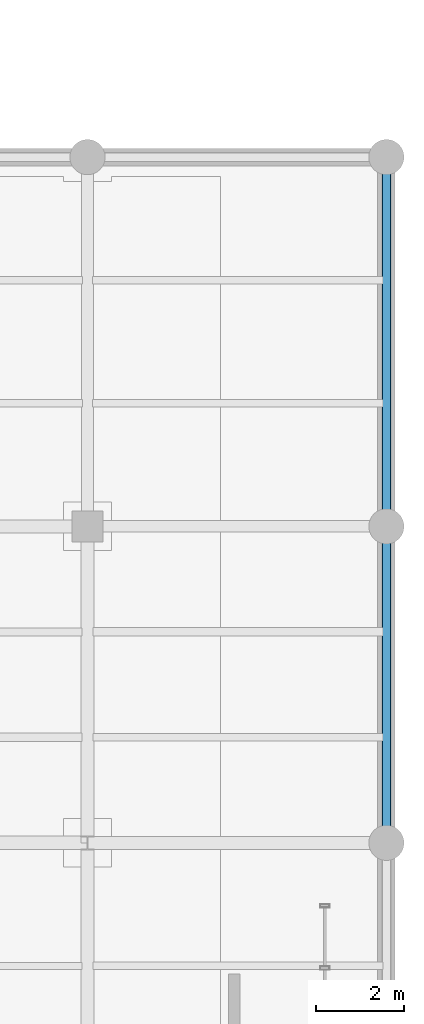
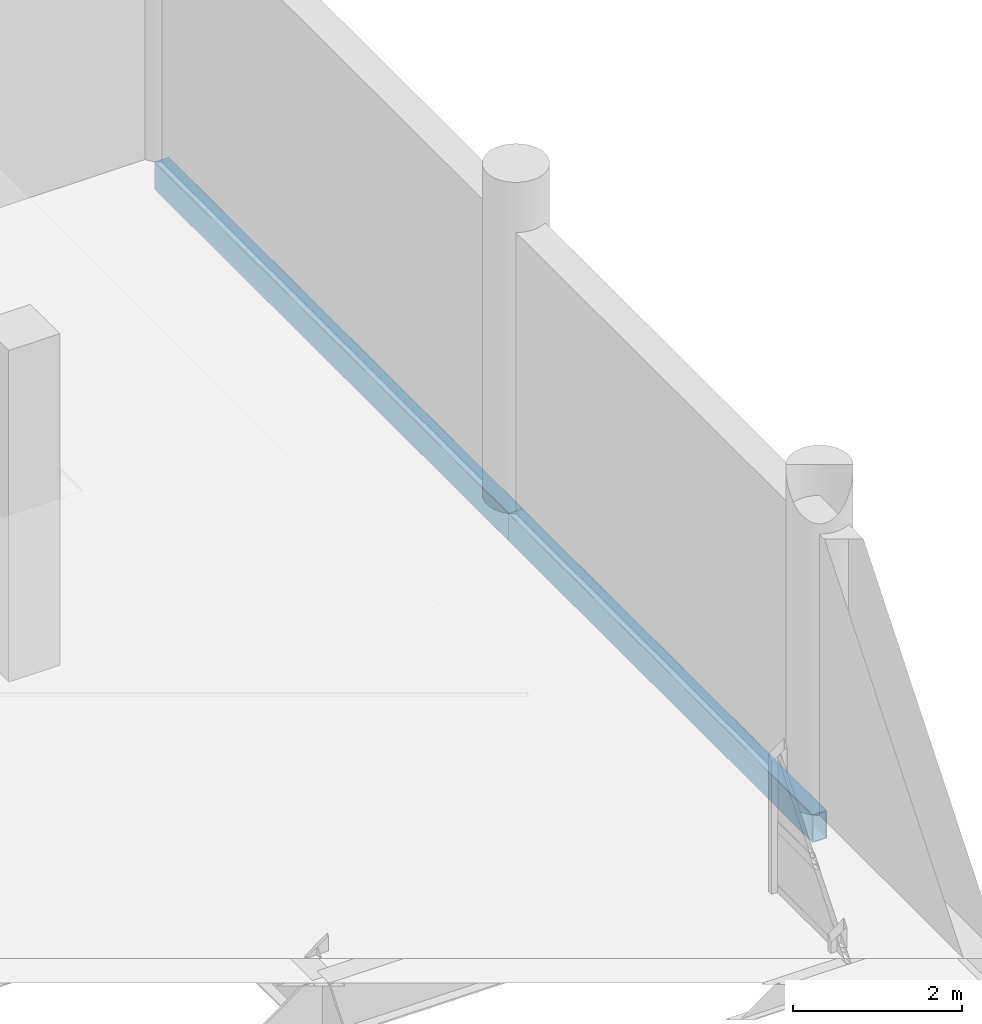
# One storey, part 52 of 94: 2 beams.
"""IFC4 building model written with IfcOpenShell, lengths in metres."""

from ifc_helpers import new_model, si_unit, direction, frame, origin_with_axes, origin_2d_with_axis, place, context, subcontext, project, spatial, hollow_rectangle, extrude, material, material_profile, profile_set, type_object, element, save


model = new_model("IFC4")

# Units and contexts
model_context = context("Model", 3, precision=1e-05, world=origin_with_axes(), true_north=direction((0.0, 1.0)))
body_context = subcontext(model_context, "Body", "Model", "MODEL_VIEW")
ifc_project = project(units=[si_unit("LENGTHUNIT", "METRE"), si_unit("AREAUNIT", "SQUARE_METRE"), si_unit("VOLUMEUNIT", "CUBIC_METRE"), si_unit("PLANEANGLEUNIT", "RADIAN"), si_unit("MASSUNIT", "GRAM", prefix="KILO"), si_unit("THERMODYNAMICTEMPERATUREUNIT", "KELVIN")], contexts=[model_context])

# Site, building, storey
site_placement = place(None, origin_with_axes())
site = spatial("IfcSite", under=ifc_project, at=site_placement, CompositionType="ELEMENT")
building_placement = place(site_placement, origin_with_axes())
building = spatial("IfcBuilding", under=site, at=building_placement, Name="Montbau Bow Law Courts", CompositionType="ELEMENT")
storey_placement = place(building_placement, frame((0.0, 0.0, 15.6), z_axis=(0.0, 0.0, 1.0), x_axis=(1.0, 0.0, 0.0)))
storey = spatial("IfcBuildingStorey", under=building, at=storey_placement, Name="L03", CompositionType="ELEMENT", Elevation=15.6)

# Beams
ifc_material = material(Name="Steel CSA G40.21 Grade 350WT (350 MPa)", Category="steel")
ifc_material_profile = material_profile(ifc_material, hollow_rectangle(XDim=0.203, YDim=0.406, WallThickness=0.0127, InnerFilletRadius=0.0254, OuterFilletRadius=0.0127, at=origin_2d_with_axis()), Name="HSS406X203X13", Category="Main", Priority=0)
ifc_profile_set = profile_set([ifc_material_profile], Name="Steel CSA G40.21 Grade 350WT (350 MPa)")
beam_type = type_object("IfcBeamType", Name="B-SPN-01", PredefinedType="SPANDREL", material=ifc_profile_set)
beam_1_placement = place(None, frame((169.4, 39.0, 15.157), z_axis=(0.0, 1.0, 0.0), x_axis=(-1.0, 0.0, 0.0)))
element("IfcBeam", 1, at=beam_1_placement, inside=storey, type_object=beam_type, Name="SPN-L03-S1707:bm2_1710", PredefinedType="SPANDREL", context=body_context, shape_type="SweptSolid", body=[
    extrude(hollow_rectangle(XDim=0.203, YDim=0.406, WallThickness=0.0127, InnerFilletRadius=0.0254, OuterFilletRadius=0.0127, at=origin_2d_with_axis()), origin_with_axes(), (0.0, 0.0, 1.0), 7.2),
])
beam_2_placement = place(None, frame((169.4, 46.2, 15.157), z_axis=(0.0, 1.0, 0.0), x_axis=(-1.0, 0.0, 0.0)))
element("IfcBeam", 2, at=beam_2_placement, inside=storey, type_object=beam_type, Name="SPN-L03-S1708:bm2_1711", PredefinedType="SPANDREL", context=body_context, shape_type="SweptSolid", body=[
    extrude(hollow_rectangle(XDim=0.203, YDim=0.406, WallThickness=0.0127, InnerFilletRadius=0.0254, OuterFilletRadius=0.0127, at=origin_2d_with_axis()), origin_with_axes(), (0.0, 0.0, 1.0), 8.4),
])

save(model, "model.ifc")
